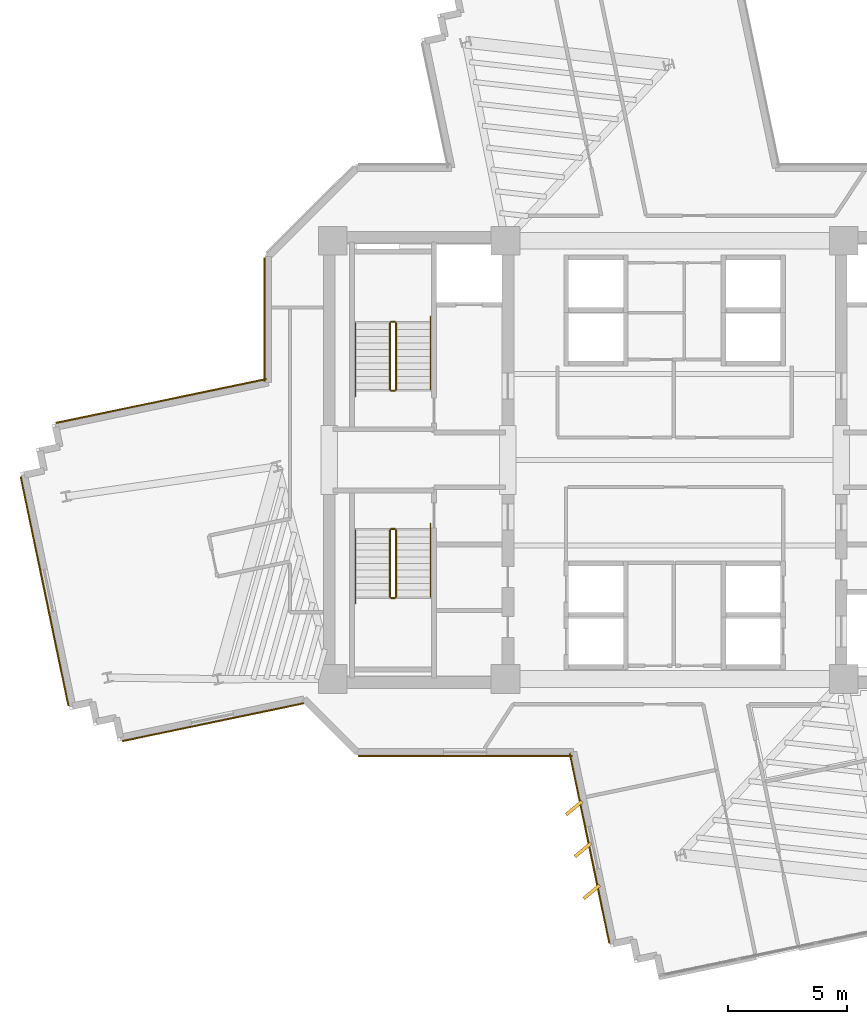
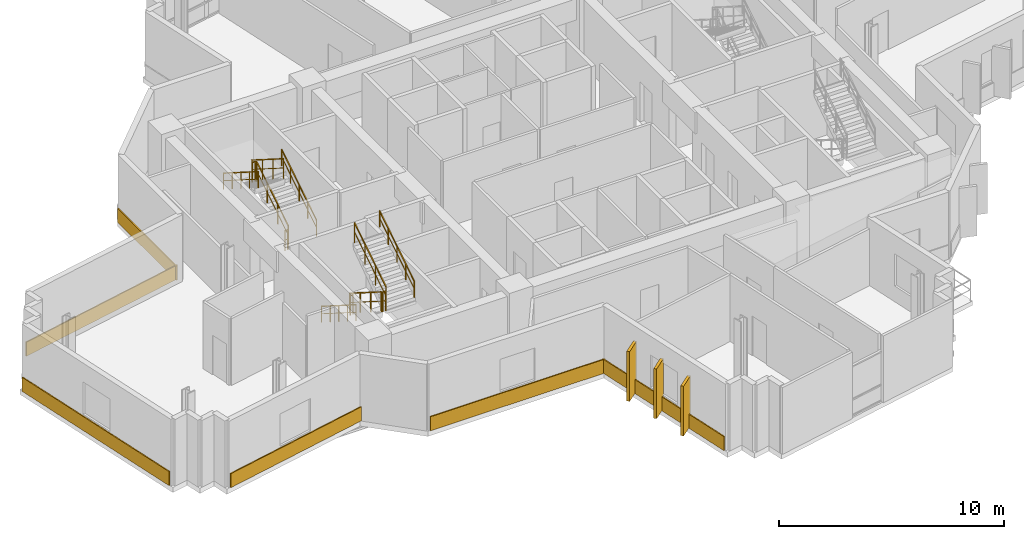
# One storey, part 12 of 14: 12 railings, 9 coverings.
"""IFC4 building model written with IfcOpenShell, lengths in metres."""

from ifc_helpers import new_model, si_unit, direction, frame, origin, origin_2d, place, context, subcontext, project, spatial, rectangle, extrude, source, transform, mapped, material, layer, layer_set, type_object, element, save


model = new_model("IFC4")

# Units and contexts
model_context = context("Model", 3, precision=1e-05, world=origin(), true_north=direction((0.0, 1.0)))
body_context = subcontext(model_context, "Body", "Model", "MODEL_VIEW")
ifc_project = project(units=[si_unit("LENGTHUNIT", "METRE"), si_unit("AREAUNIT", "SQUARE_METRE"), si_unit("VOLUMEUNIT", "CUBIC_METRE"), si_unit("PLANEANGLEUNIT", "RADIAN"), si_unit("MASSUNIT", "GRAM", prefix="KILO")], contexts=[model_context])

# Site, building, storey
site_placement = place(None, origin())
site = spatial("IfcSite", under=ifc_project, at=site_placement, CompositionType="ELEMENT")
building_placement = place(site_placement, origin())
building = spatial("IfcBuilding", under=site, at=building_placement, Name="Zahravan Cultural Tower", CompositionType="ELEMENT")
storey_placement = place(building_placement, frame((0.0, 0.0, 159.0)))
storey = spatial("IfcBuildingStorey", under=building, at=storey_placement, Name="L36", CompositionType="ELEMENT", Elevation=159.0)

# Railings
ifc_material_1 = material(Name="Steel ASTM A572 Grade 50", Category="steel")
railing_type_1 = type_object("IfcRailingType", Name="RL-STAIR-GRD1150", PredefinedType="BALUSTRADE", material=ifc_material_1)
railing_1_placement = place(storey_placement, frame((24.300048828125, 29.949951171875, 0.17724609375)))
element("IfcRailing", 1, at=railing_1_placement, inside=storey, type_object=railing_type_1, Name="L36 ST-W1 stair guard 1", PredefinedType="BALUSTRADE", context=body_context, shape_type="SweptSolid", body=[
    extrude(rectangle(XDim=0.05, YDim=0.05, at=origin_2d()), frame((0.0, 0.0, 1.0751953125), z_axis=(0.0, 0.844908973607, 0.534910110503), x_axis=(-1.0, 0.0, 0.0)), (0.0, 0.0, 1.0), 3.31396484375),
    extrude(rectangle(XDim=0.032, YDim=0.032, at=origin_2d()), frame((0.0, 0.0, 0.572021484375), z_axis=(0.0, 0.844908973607, 0.534910110503), x_axis=(-1.0, 0.0, 0.0)), (0.0, 0.0, 1.0), 3.31396484375),
    extrude(rectangle(XDim=0.04, YDim=0.04, at=origin_2d()), origin(), (0.0, 0.0, 1.0), 1.10009765625),
    extrude(rectangle(XDim=0.04, YDim=0.04, at=origin_2d()), frame((0.0, 0.933349609375, 0.5908203125)), (0.0, 0.0, 1.0), 1.10009765625),
    extrude(rectangle(XDim=0.04, YDim=0.04, at=origin_2d()), frame((0.0, 1.86669921875, 1.181884765625)), (0.0, 0.0, 1.0), 1.10009765625),
    extrude(rectangle(XDim=0.04, YDim=0.04, at=origin_2d()), frame((0.0, 2.800048828125, 1.772705078125)), (0.0, 0.0, 1.0), 1.10009765625),
])
railing_2_placement = place(storey_placement, frame((24.25, 32.800048828125, 1.949951171875)))
element("IfcRailing", 2, at=railing_2_placement, inside=storey, type_object=railing_type_1, Name="L36 ST-W1 stair guard 2", PredefinedType="BALUSTRADE", context=body_context, shape_type="SweptSolid", body=[
    extrude(rectangle(XDim=0.05, YDim=0.05, at=origin_2d()), frame((0.0, 0.0, 1.0751953125), z_axis=(-1.0, 0.0, 0.0), x_axis=(0.0, -1.0, 0.0)), (0.0, 0.0, 1.0), 0.14990234375),
    extrude(rectangle(XDim=0.032, YDim=0.032, at=origin_2d()), frame((0.0, 0.0, 0.572021484375), z_axis=(-1.0, 0.0, 0.0), x_axis=(0.0, -1.0, 0.0)), (0.0, 0.0, 1.0), 0.14990234375),
    extrude(rectangle(XDim=0.04, YDim=0.04, at=origin_2d()), origin(), (0.0, 0.0, 1.0), 1.10009765625),
    extrude(rectangle(XDim=0.04, YDim=0.04, at=origin_2d()), frame((-0.14990234375, 0.0, 0.0)), (0.0, 0.0, 1.0), 1.10009765625),
])
railing_3_placement = place(storey_placement, frame((24.050048828125, 32.75, 2.127197265625)))
element("IfcRailing", 3, at=railing_3_placement, inside=storey, type_object=railing_type_1, Name="L36 ST-W1 stair guard 3", PredefinedType="BALUSTRADE", context=body_context, shape_type="SweptSolid", body=[
    extrude(rectangle(XDim=0.05, YDim=0.05, at=origin_2d()), frame((0.0, 0.0, 1.0751953125), z_axis=(0.0, -0.844908973607, 0.534910110503), x_axis=(1.0, 0.0, 0.0)), (0.0, 0.0, 1.0), 3.31396484375),
    extrude(rectangle(XDim=0.032, YDim=0.032, at=origin_2d()), frame((0.0, 0.0, 0.572021484375), z_axis=(0.0, -0.844908973607, 0.534910110503), x_axis=(1.0, 0.0, 0.0)), (0.0, 0.0, 1.0), 3.31396484375),
    extrude(rectangle(XDim=0.04, YDim=0.04, at=origin_2d()), origin(), (0.0, 0.0, 1.0), 1.10009765625),
    extrude(rectangle(XDim=0.04, YDim=0.04, at=origin_2d()), frame((0.0, -0.933349609375, 0.5908203125)), (0.0, 0.0, 1.0), 1.10009765625),
    extrude(rectangle(XDim=0.04, YDim=0.04, at=origin_2d()), frame((0.0, -1.86669921875, 1.181884765625)), (0.0, 0.0, 1.0), 1.10009765625),
    extrude(rectangle(XDim=0.04, YDim=0.04, at=origin_2d()), frame((0.0, -2.800048828125, 1.772705078125)), (0.0, 0.0, 1.0), 1.10009765625),
])
railing_4_placement = place(storey_placement, frame((24.25, 29.89990234375, 0.0)))
element("IfcRailing", 4, at=railing_4_placement, inside=storey, type_object=railing_type_1, Name="L36 ST-W1 stair guard 4", PredefinedType="BALUSTRADE", context=body_context, shape_type="SweptSolid", body=[
    extrude(rectangle(XDim=0.05, YDim=0.05, at=origin_2d()), frame((0.0, 0.0, 1.0751953125), z_axis=(-1.0, 0.0, 0.0), x_axis=(0.0, -1.0, 0.0)), (0.0, 0.0, 1.0), 0.14990234375),
    extrude(rectangle(XDim=0.032, YDim=0.032, at=origin_2d()), frame((0.0, 0.0, 0.572021484375), z_axis=(-1.0, 0.0, 0.0), x_axis=(0.0, -1.0, 0.0)), (0.0, 0.0, 1.0), 0.14990234375),
    extrude(rectangle(XDim=0.04, YDim=0.04, at=origin_2d()), origin(), (0.0, 0.0, 1.0), 1.10009765625),
    extrude(rectangle(XDim=0.04, YDim=0.04, at=origin_2d()), frame((-0.14990234375, 0.0, 0.0)), (0.0, 0.0, 1.0), 1.10009765625),
])
railing_5_placement = place(storey_placement, frame((24.050048828125, 24.050048828125, 0.17724609375)))
element("IfcRailing", 5, at=railing_5_placement, inside=storey, type_object=railing_type_1, Name="L36 ST-W2 stair guard 1", PredefinedType="BALUSTRADE", context=body_context, shape_type="SweptSolid", body=[
    extrude(rectangle(XDim=0.05, YDim=0.05, at=origin_2d()), frame((0.0, 0.0, 1.0751953125), z_axis=(0.0, -0.844908973607, 0.534910110503), x_axis=(1.0, 0.0, 0.0)), (0.0, 0.0, 1.0), 3.31396484375),
    extrude(rectangle(XDim=0.032, YDim=0.032, at=origin_2d()), frame((0.0, 0.0, 0.572021484375), z_axis=(0.0, -0.844908973607, 0.534910110503), x_axis=(1.0, 0.0, 0.0)), (0.0, 0.0, 1.0), 3.31396484375),
    extrude(rectangle(XDim=0.04, YDim=0.04, at=origin_2d()), origin(), (0.0, 0.0, 1.0), 1.10009765625),
    extrude(rectangle(XDim=0.04, YDim=0.04, at=origin_2d()), frame((0.0, -0.933349609375, 0.5908203125)), (0.0, 0.0, 1.0), 1.10009765625),
    extrude(rectangle(XDim=0.04, YDim=0.04, at=origin_2d()), frame((0.0, -1.86669921875, 1.181884765625)), (0.0, 0.0, 1.0), 1.10009765625),
    extrude(rectangle(XDim=0.04, YDim=0.04, at=origin_2d()), frame((0.0, -2.800048828125, 1.772705078125)), (0.0, 0.0, 1.0), 1.10009765625),
])
railing_6_placement = place(storey_placement, frame((24.10009765625, 21.199951171875, 1.949951171875)))
element("IfcRailing", 6, at=railing_6_placement, inside=storey, type_object=railing_type_1, Name="L36 ST-W2 stair guard 2", PredefinedType="BALUSTRADE", context=body_context, shape_type="SweptSolid", body=[
    extrude(rectangle(XDim=0.05, YDim=0.05, at=origin_2d()), frame((0.0, 0.0, 1.0751953125), z_axis=(1.0, 0.0, 0.0), x_axis=(0.0, 1.0, 0.0)), (0.0, 0.0, 1.0), 0.14990234375),
    extrude(rectangle(XDim=0.032, YDim=0.032, at=origin_2d()), frame((0.0, 0.0, 0.572021484375), z_axis=(1.0, 0.0, 0.0), x_axis=(0.0, 1.0, 0.0)), (0.0, 0.0, 1.0), 0.14990234375),
    extrude(rectangle(XDim=0.04, YDim=0.04, at=origin_2d()), origin(), (0.0, 0.0, 1.0), 1.10009765625),
    extrude(rectangle(XDim=0.04, YDim=0.04, at=origin_2d()), frame((0.14990234375, 0.0, 0.0)), (0.0, 0.0, 1.0), 1.10009765625),
])
railing_7_placement = place(storey_placement, frame((24.300048828125, 21.25, 2.127197265625)))
element("IfcRailing", 7, at=railing_7_placement, inside=storey, type_object=railing_type_1, Name="L36 ST-W2 stair guard 3", PredefinedType="BALUSTRADE", context=body_context, shape_type="SweptSolid", body=[
    extrude(rectangle(XDim=0.05, YDim=0.05, at=origin_2d()), frame((0.0, 0.0, 1.0751953125), z_axis=(0.0, 0.844908973607, 0.534910110503), x_axis=(-1.0, 0.0, 0.0)), (0.0, 0.0, 1.0), 3.31396484375),
    extrude(rectangle(XDim=0.032, YDim=0.032, at=origin_2d()), frame((0.0, 0.0, 0.572021484375), z_axis=(0.0, 0.844908973607, 0.534910110503), x_axis=(-1.0, 0.0, 0.0)), (0.0, 0.0, 1.0), 3.31396484375),
    extrude(rectangle(XDim=0.04, YDim=0.04, at=origin_2d()), origin(), (0.0, 0.0, 1.0), 1.10009765625),
    extrude(rectangle(XDim=0.04, YDim=0.04, at=origin_2d()), frame((0.0, 0.933349609375, 0.5908203125)), (0.0, 0.0, 1.0), 1.10009765625),
    extrude(rectangle(XDim=0.04, YDim=0.04, at=origin_2d()), frame((0.0, 1.86669921875, 1.181884765625)), (0.0, 0.0, 1.0), 1.10009765625),
    extrude(rectangle(XDim=0.04, YDim=0.04, at=origin_2d()), frame((0.0, 2.800048828125, 1.772705078125)), (0.0, 0.0, 1.0), 1.10009765625),
])
railing_8_placement = place(storey_placement, frame((24.10009765625, 24.10009765625, 0.0)))
element("IfcRailing", 8, at=railing_8_placement, inside=storey, type_object=railing_type_1, Name="L36 ST-W2 stair guard 4", PredefinedType="BALUSTRADE", context=body_context, shape_type="SweptSolid", body=[
    extrude(rectangle(XDim=0.05, YDim=0.05, at=origin_2d()), frame((0.0, 0.0, 1.0751953125), z_axis=(1.0, 0.0, 0.0), x_axis=(0.0, 1.0, 0.0)), (0.0, 0.0, 1.0), 0.14990234375),
    extrude(rectangle(XDim=0.032, YDim=0.032, at=origin_2d()), frame((0.0, 0.0, 0.572021484375), z_axis=(1.0, 0.0, 0.0), x_axis=(0.0, 1.0, 0.0)), (0.0, 0.0, 1.0), 0.14990234375),
    extrude(rectangle(XDim=0.04, YDim=0.04, at=origin_2d()), origin(), (0.0, 0.0, 1.0), 1.10009765625),
    extrude(rectangle(XDim=0.04, YDim=0.04, at=origin_2d()), frame((0.14990234375, 0.0, 0.0)), (0.0, 0.0, 1.0), 1.10009765625),
])
railing_type_2 = type_object("IfcRailingType", Name="RL-STAIR-HR900", PredefinedType="HANDRAIL", material=ifc_material_1)
railing_9_placement = place(storey_placement, frame((25.75, 29.949951171875, 0.17724609375)))
element("IfcRailing", 9, at=railing_9_placement, inside=storey, type_object=railing_type_2, Name="L36 ST-W1 stair handrail 1", PredefinedType="HANDRAIL", context=body_context, shape_type="SweptSolid", body=[
    extrude(rectangle(XDim=0.05, YDim=0.05, at=origin_2d()), frame((0.0, 0.0, 0.875), z_axis=(0.0, 0.844913916606, 0.534902302785), x_axis=(-1.0, 0.0, 0.0)), (0.0, 0.0, 1.0), 3.6455078125),
    extrude(rectangle(XDim=0.032, YDim=0.032, at=origin_2d()), frame((0.0, 0.0, 0.468017578125), z_axis=(0.0, 0.844913916606, 0.534902302785), x_axis=(-1.0, 0.0, 0.0)), (0.0, 0.0, 1.0), 3.6455078125),
    extrude(rectangle(XDim=0.04, YDim=0.04, at=origin_2d()), origin(), (0.0, 0.0, 1.0), 0.89990234375),
    extrude(rectangle(XDim=0.04, YDim=0.04, at=origin_2d()), frame((0.0, 0.77001953125, 0.487548828125)), (0.0, 0.0, 1.0), 0.89990234375),
    extrude(rectangle(XDim=0.04, YDim=0.04, at=origin_2d()), frame((0.0, 1.5400390625, 0.97509765625)), (0.0, 0.0, 1.0), 0.89990234375),
    extrude(rectangle(XDim=0.04, YDim=0.04, at=origin_2d()), frame((0.0, 2.31005859375, 1.46240234375)), (0.0, 0.0, 1.0), 0.89990234375),
    extrude(rectangle(XDim=0.04, YDim=0.04, at=origin_2d()), frame((0.0, 3.080078125, 1.949951171875)), (0.0, 0.0, 1.0), 0.89990234375),
])
railing_10_placement = place(storey_placement, frame((22.60009765625, 32.75, 2.127197265625)))
element("IfcRailing", 10, at=railing_10_placement, inside=storey, type_object=railing_type_2, Name="L36 ST-W1 stair handrail 2", PredefinedType="HANDRAIL", context=body_context, shape_type="SweptSolid", body=[
    extrude(rectangle(XDim=0.05, YDim=0.05, at=origin_2d()), frame((0.0, 0.0, 0.875), z_axis=(0.0, -0.844883648757, 0.534950109882), x_axis=(1.0, 0.0, 0.0)), (0.0, 0.0, 1.0), 3.6455078125),
    extrude(rectangle(XDim=0.032, YDim=0.032, at=origin_2d()), frame((0.0, 0.0, 0.468017578125), z_axis=(0.0, -0.844883648757, 0.534950109882), x_axis=(1.0, 0.0, 0.0)), (0.0, 0.0, 1.0), 3.6455078125),
    extrude(rectangle(XDim=0.04, YDim=0.04, at=origin_2d()), origin(), (0.0, 0.0, 1.0), 0.89990234375),
    extrude(rectangle(XDim=0.04, YDim=0.04, at=origin_2d()), frame((0.0, -0.77001953125, 0.487548828125)), (0.0, 0.0, 1.0), 0.89990234375),
    extrude(rectangle(XDim=0.04, YDim=0.04, at=origin_2d()), frame((0.0, -1.5400390625, 0.97509765625)), (0.0, 0.0, 1.0), 0.89990234375),
    extrude(rectangle(XDim=0.04, YDim=0.04, at=origin_2d()), frame((0.0, -2.31005859375, 1.462646484375)), (0.0, 0.0, 1.0), 0.89990234375),
    extrude(rectangle(XDim=0.04, YDim=0.04, at=origin_2d()), frame((0.0, -3.080078125, 1.9501953125)), (0.0, 0.0, 1.0), 0.89990234375),
])
railing_11_placement = place(storey_placement, frame((22.60009765625, 24.050048828125, 0.17724609375)))
element("IfcRailing", 11, at=railing_11_placement, inside=storey, type_object=railing_type_2, Name="L36 ST-W2 stair handrail 1", PredefinedType="HANDRAIL", context=body_context, shape_type="SweptSolid", body=[
    extrude(rectangle(XDim=0.05, YDim=0.05, at=origin_2d()), frame((0.0, 0.0, 0.875), z_axis=(0.0, -0.844913916606, 0.534902302785), x_axis=(1.0, 0.0, 0.0)), (0.0, 0.0, 1.0), 3.6455078125),
    extrude(rectangle(XDim=0.032, YDim=0.032, at=origin_2d()), frame((0.0, 0.0, 0.468017578125), z_axis=(0.0, -0.844913916606, 0.534902302785), x_axis=(1.0, 0.0, 0.0)), (0.0, 0.0, 1.0), 3.6455078125),
    extrude(rectangle(XDim=0.04, YDim=0.04, at=origin_2d()), origin(), (0.0, 0.0, 1.0), 0.89990234375),
    extrude(rectangle(XDim=0.04, YDim=0.04, at=origin_2d()), frame((0.0, -0.77001953125, 0.487548828125)), (0.0, 0.0, 1.0), 0.89990234375),
    extrude(rectangle(XDim=0.04, YDim=0.04, at=origin_2d()), frame((0.0, -1.5400390625, 0.97509765625)), (0.0, 0.0, 1.0), 0.89990234375),
    extrude(rectangle(XDim=0.04, YDim=0.04, at=origin_2d()), frame((0.0, -2.31005859375, 1.46240234375)), (0.0, 0.0, 1.0), 0.89990234375),
    extrude(rectangle(XDim=0.04, YDim=0.04, at=origin_2d()), frame((0.0, -3.080078125, 1.949951171875)), (0.0, 0.0, 1.0), 0.89990234375),
])
railing_12_placement = place(storey_placement, frame((25.75, 21.25, 2.127197265625)))
element("IfcRailing", 12, at=railing_12_placement, inside=storey, type_object=railing_type_2, Name="L36 ST-W2 stair handrail 2", PredefinedType="HANDRAIL", context=body_context, shape_type="SweptSolid", body=[
    extrude(rectangle(XDim=0.05, YDim=0.05, at=origin_2d()), frame((0.0, 0.0, 0.875), z_axis=(0.0, 0.844883648757, 0.534950109882), x_axis=(-1.0, 0.0, 0.0)), (0.0, 0.0, 1.0), 3.6455078125),
    extrude(rectangle(XDim=0.032, YDim=0.032, at=origin_2d()), frame((0.0, 0.0, 0.468017578125), z_axis=(0.0, 0.844883648757, 0.534950109882), x_axis=(-1.0, 0.0, 0.0)), (0.0, 0.0, 1.0), 3.6455078125),
    extrude(rectangle(XDim=0.04, YDim=0.04, at=origin_2d()), origin(), (0.0, 0.0, 1.0), 0.89990234375),
    extrude(rectangle(XDim=0.04, YDim=0.04, at=origin_2d()), frame((0.0, 0.77001953125, 0.487548828125)), (0.0, 0.0, 1.0), 0.89990234375),
    extrude(rectangle(XDim=0.04, YDim=0.04, at=origin_2d()), frame((0.0, 1.5400390625, 0.97509765625)), (0.0, 0.0, 1.0), 0.89990234375),
    extrude(rectangle(XDim=0.04, YDim=0.04, at=origin_2d()), frame((0.0, 2.31005859375, 1.462646484375)), (0.0, 0.0, 1.0), 0.89990234375),
    extrude(rectangle(XDim=0.04, YDim=0.04, at=origin_2d()), frame((0.0, 3.080078125, 1.9501953125)), (0.0, 0.0, 1.0), 0.89990234375),
])

# Coverings
ifc_material_2 = material(Name="Terracotta ceramic cladding", Category="masonry")
ifc_layer = layer(ifc_material_2, 0.06005859375)
ifc_layer_set = layer_set([ifc_layer], Name="Terracotta ceramic cladding")
covering_type = type_object("IfcCoveringType", Name="COV-CLAD-TC60", PredefinedType="CLADDING", material=ifc_layer_set)
shared_shape_1 = source(origin(), body_context, "Body", "SweptSolid", [
    extrude(rectangle(XDim=9.820068359375, YDim=0.06005859375, at=origin_2d()), origin(), (0.0, 0.0, 1.0), 0.760009765625),
])
covering_1_placement = place(storey_placement, frame((9.544189453125, 21.482666015625, 0.02001953125), z_axis=(0.0, 0.0, 1.0), x_axis=(-0.204154350213, 0.978938711712, 0.0)))
element("IfcCovering", 13, at=covering_1_placement, inside=storey, type_object=covering_type, Name="L36 Terracotta Spandrel Cladding 32", PredefinedType="CLADDING", context=body_context, shape_type="MappedRepresentation", body=[
    mapped(shared_shape_1, transform((0.0, 0.0, 0.0), x_axis=(1.0, 0.0, 0.0), y_axis=(0.0, 1.0, 0.0), z_axis=(0.0, 0.0, 1.0), scale=1.0)),
])
shared_shape_2 = source(origin(), body_context, "Body", "SweptSolid", [
    extrude(rectangle(XDim=0.8798828125, YDim=0.139892578125, at=origin_2d()), origin(), (0.0, 0.0, 1.0), 2.699951171875),
])
for number, where, z_axis, x_axis, name in (
    (14, (32.52001953125, 8.860107421875, 0.0498046875), (0.0, 0.0, 1.0), (-0.768506917219, -0.639841478951, 0.0), "L36 Herringbone Terracotta Fin 16"),
    (15, (32.152587890625, 10.6220703125, 0.0498046875), (0.0, 0.0, 1.0), (-0.768506917219, -0.639841478951, 0.0), "L36 Herringbone Terracotta Fin 17"),
    (16, (31.78515625, 12.38427734375, 0.0498046875), (0.0, 0.0, 1.0), (-0.768506917219, -0.639841478951, 0.0), "L36 Herringbone Terracotta Fin 18"),
):
    element("IfcCovering", number, at=place(storey_placement, frame(where, z_axis=z_axis, x_axis=x_axis)), inside=storey, type_object=covering_type, Name=name, PredefinedType="CLADDING", context=body_context, shape_type="MappedRepresentation", body=[
        mapped(shared_shape_2, transform((0.0, 0.0, 0.0), x_axis=(1.0, 0.0, 0.0), y_axis=(0.0, 1.0, 0.0), z_axis=(0.0, 0.0, 1.0), scale=1.0)),
    ])
shared_shape_3 = source(origin(), body_context, "Body", "SweptSolid", [
    extrude(rectangle(XDim=7.781494140625, YDim=0.06005859375, at=origin_2d()), origin(), (0.0, 0.0, 1.0), 0.760009765625),
])
covering_2_placement = place(storey_placement, frame((16.62109375, 15.98681640625, 0.02001953125), z_axis=(0.0, 0.0, 1.0), x_axis=(-0.978938711712, -0.204154350213, 0.0)))
element("IfcCovering", 17, at=covering_2_placement, inside=storey, type_object=covering_type, Name="L36 Terracotta Spandrel Cladding 27", PredefinedType="CLADDING", context=body_context, shape_type="MappedRepresentation", body=[
    mapped(shared_shape_3, transform((0.0, 0.0, 0.0), x_axis=(1.0, 0.0, 0.0), y_axis=(0.0, 1.0, 0.0), z_axis=(0.0, 0.0, 1.0), scale=1.0)),
])
shared_shape_4 = source(origin(), body_context, "Body", "SweptSolid", [
    extrude(rectangle(XDim=9.02197265625, YDim=0.06005859375, at=origin_2d()), origin(), (0.0, 0.0, 1.0), 0.760009765625),
])
covering_3_placement = place(storey_placement, frame((14.44140625, 29.475830078125, 0.02001953125), z_axis=(0.0, 0.0, 1.0), x_axis=(0.978938711712, 0.204154350213, 0.0)))
element("IfcCovering", 18, at=covering_3_placement, inside=storey, type_object=covering_type, Name="L36 Terracotta Spandrel Cladding 37", PredefinedType="CLADDING", context=body_context, shape_type="MappedRepresentation", body=[
    mapped(shared_shape_4, transform((0.0, 0.0, 0.0), x_axis=(1.0, 0.0, 0.0), y_axis=(0.0, 1.0, 0.0), z_axis=(0.0, 0.0, 1.0), scale=1.0)),
])
shared_shape_5 = source(origin(), body_context, "Body", "SweptSolid", [
    extrude(rectangle(XDim=5.196533203125, YDim=0.06005859375, at=origin_2d()), origin(), (0.0, 0.0, 1.0), 0.760009765625),
])
covering_4_placement = place(storey_placement, frame((18.77490234375, 32.893798828125, 0.02001953125), z_axis=(0.0, 0.0, 1.0), x_axis=(0.0, 1.0, 0.0)))
element("IfcCovering", 19, at=covering_4_placement, inside=storey, type_object=covering_type, Name="L36 Terracotta Spandrel Cladding 38", PredefinedType="CLADDING", context=body_context, shape_type="MappedRepresentation", body=[
    mapped(shared_shape_5, transform((0.0, 0.0, 0.0), x_axis=(1.0, 0.0, 0.0), y_axis=(0.0, 1.0, 0.0), z_axis=(0.0, 0.0, 1.0), scale=1.0)),
])
shared_shape_6 = source(origin(), body_context, "Body", "SweptSolid", [
    extrude(rectangle(XDim=8.125244140625, YDim=0.06005859375, at=origin_2d()), origin(), (0.0, 0.0, 1.0), 0.760009765625),
])
covering_5_placement = place(storey_placement, frame((32.431640625, 10.680419921875, 0.02001953125), z_axis=(0.0, 0.0, 1.0), x_axis=(-0.204154350213, 0.978938711712, 0.0)))
element("IfcCovering", 20, at=covering_5_placement, inside=storey, type_object=covering_type, Name="L36 Terracotta Spandrel Cladding 24", PredefinedType="CLADDING", context=body_context, shape_type="MappedRepresentation", body=[
    mapped(shared_shape_6, transform((0.0, 0.0, 0.0), x_axis=(1.0, 0.0, 0.0), y_axis=(0.0, 1.0, 0.0), z_axis=(0.0, 0.0, 1.0), scale=1.0)),
])
shared_shape_7 = source(origin(), body_context, "Body", "SweptSolid", [
    extrude(rectangle(XDim=8.99560546875, YDim=0.06005859375, at=origin_2d()), origin(), (0.0, 0.0, 1.0), 0.760009765625),
])
covering_6_placement = place(storey_placement, frame((27.205810546875, 14.574951171875, 0.02001953125), z_axis=(0.0, 0.0, 1.0), x_axis=(-1.0, 0.0, 0.0)))
element("IfcCovering", 21, at=covering_6_placement, inside=storey, type_object=covering_type, Name="L36 Terracotta Spandrel Cladding 25", PredefinedType="CLADDING", context=body_context, shape_type="MappedRepresentation", body=[
    mapped(shared_shape_7, transform((0.0, 0.0, 0.0), x_axis=(1.0, 0.0, 0.0), y_axis=(0.0, 1.0, 0.0), z_axis=(0.0, 0.0, 1.0), scale=1.0)),
])

save(model, "model.ifc")
